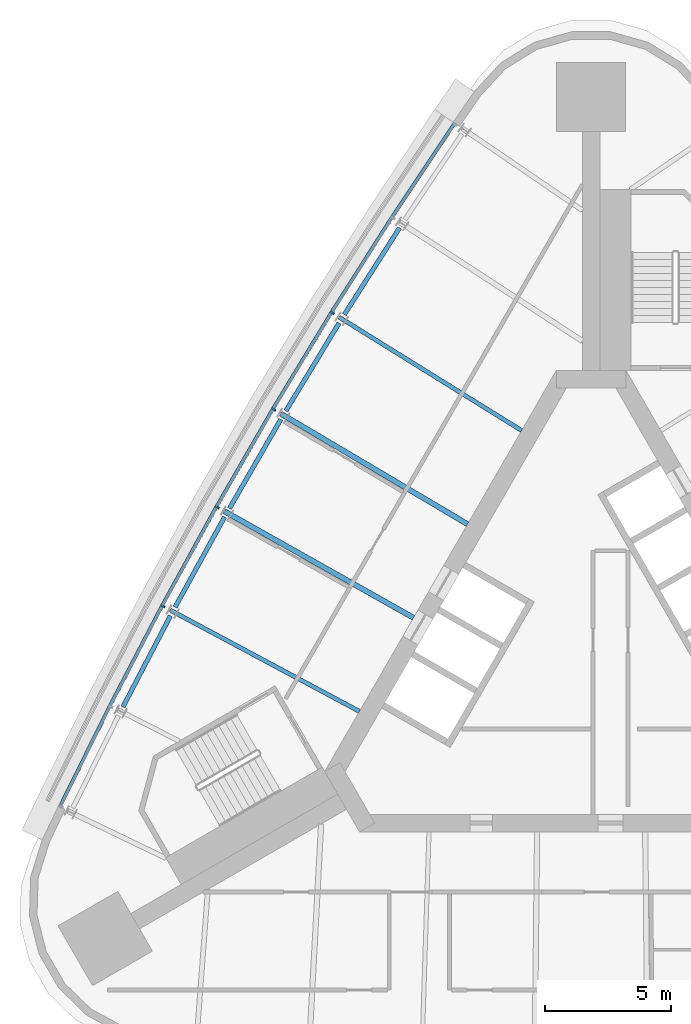
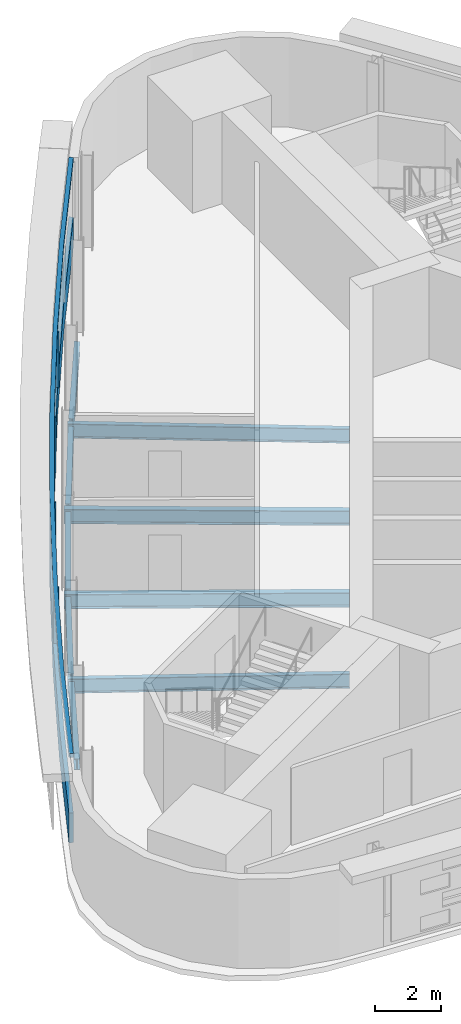
# One storey, part 3 of 12: 9 beams, 6 members, 1 element without a shape of its own.
"""IFC4 building model written with IfcOpenShell, lengths in metres."""

from ifc_helpers import new_model, si_unit, direction, frame, origin, origin_2d, place, context, subcontext, project, spatial, polyline, rectangle, i_section, outline, extrude, material, material_profile, profile_set, type_object, element, aggregate, save


model = new_model("IFC4")

# Units and contexts
model_context = context("Model", 3, precision=1e-05, world=origin(), true_north=direction((0.0, 1.0)))
body_context = subcontext(model_context, "Body", "Model", "MODEL_VIEW")
ifc_project = project(units=[si_unit("LENGTHUNIT", "METRE"), si_unit("AREAUNIT", "SQUARE_METRE"), si_unit("VOLUMEUNIT", "CUBIC_METRE"), si_unit("PLANEANGLEUNIT", "RADIAN"), si_unit("MASSUNIT", "GRAM", prefix="KILO")], contexts=[model_context])

# Site, building, storey
site_placement = place(None, origin())
site = spatial("IfcSite", under=ifc_project, at=site_placement, CompositionType="ELEMENT")
building_placement = place(site_placement, origin())
building = spatial("IfcBuilding", under=site, at=building_placement, Name="Noor Cloister Tower", CompositionType="ELEMENT")
storey_placement = place(building_placement, frame((0.0, 0.0, 185.10009765625)))
storey = spatial("IfcBuildingStorey", under=building, at=storey_placement, Name="L47", CompositionType="ELEMENT", Elevation=185.10009765625)

# Curtain wall, members
ifc_material_1 = material(Name="Aluminium 6063-T6 anodised", Category="aluminium")
curtain_wall_type = type_object("IfcCurtainWallType", Name="Ribbon curtain wall, upper tower CW5", PredefinedType="NOTDEFINED", material=ifc_material_1)
curtain_wall_placement = place(storey_placement, origin())
curtain_wall = element("IfcCurtainWall", 1, at=curtain_wall_placement, inside=storey, type_object=curtain_wall_type, Name="CW5 L47 NW run 1", PredefinedType="NOTDEFINED")
ifc_material_2 = material(Name="Aluminium 6063-T6 anodised", Category="aluminium")
member_type_1 = type_object("IfcMemberType", Name="Head transom CW5 150", PredefinedType="USERDEFINED", material=ifc_material_2)
member_1_placement = place(storey_placement, frame((0.0, 0.0, 3.14990234375)))
member_1 = element("IfcMember", 2, at=member_1_placement, type_object=member_type_1, Name="CW5 head transom", ObjectType="TRANSOM", PredefinedType="USERDEFINED", context=body_context, shape_type="SweptSolid", body=[
    extrude(outline(polyline([(-5.494384765625, 21.341552734375), (-7.98974609375, 17.59716796875), (-10.404541015625, 13.7998046875), (-12.7373046875, 9.951904296875), (-14.9873046875, 6.054931640625), (-17.1533203125, 2.110595703125), (-19.234375, -1.879150390625), (-21.2294921875, -5.91259765625), (-21.10400390625, -5.974609375), (-19.109619140625, -1.942626953125), (-17.02978515625, 2.04443359375), (-14.865234375, 5.986083984375), (-12.61669921875, 9.880615234375), (-10.285400390625, 13.72607421875), (-7.872314453125, 17.520751953125), (-5.3779296875, 21.263916015625), (-5.494384765625, 21.341552734375)])), origin(), (0.0, 0.0, 1.0), 0.14990234375),
])
ifc_material_3 = material(Name="Aluminium 6063-T6 anodised", Category="aluminium")
ifc_material_profile_1 = material_profile(ifc_material_3, rectangle(XDim=0.179931640625, YDim=0.070068359375, at=origin_2d()), Name="180 x 70 mullion")
ifc_profile_set_1 = profile_set([ifc_material_profile_1], Name="Aluminium 6063-T6 anodised")
member_type_2 = type_object("IfcMemberType", Name="Mullion CW5 70 x 180", PredefinedType="MULLION", material=ifc_profile_set_1)
member_2_placement = place(storey_placement, frame((-10.319580078125, 13.7470703125, 1.099853515625), z_axis=(0.0, 0.0, 1.0), x_axis=(0.849525641799, -0.527547328612, 0.0)))
member_2 = element("IfcMember", 3, at=member_2_placement, type_object=member_type_2, Name="CW5 mullion 3", PredefinedType="MULLION", context=body_context, shape_type="SweptSolid", body=[
    extrude(rectangle(XDim=0.179931640625, YDim=0.070068359375, at=origin_2d()), origin(), (0.0, 0.0, 1.0), 2.050048828125),
])
member_3_placement = place(storey_placement, frame((-12.651123046875, 9.90087890625, 1.099853515625), z_axis=(0.0, 0.0, 1.0), x_axis=(0.860623876199, -0.509241144957, 0.0)))
member_3 = element("IfcMember", 4, at=member_3_placement, type_object=member_type_2, Name="CW5 mullion 4", PredefinedType="MULLION", context=body_context, shape_type="SweptSolid", body=[
    extrude(rectangle(XDim=0.179931640625, YDim=0.070068359375, at=origin_2d()), origin(), (0.0, 0.0, 1.0), 2.050048828125),
])
member_4_placement = place(storey_placement, frame((-14.900146484375, 6.005859375, 1.099853515625), z_axis=(0.0, 0.0, 1.0), x_axis=(0.871327706284, -0.490701567413, 0.0)))
member_4 = element("IfcMember", 5, at=member_4_placement, type_object=member_type_2, Name="CW5 mullion 5", PredefinedType="MULLION", context=body_context, shape_type="SweptSolid", body=[
    extrude(rectangle(XDim=0.179931640625, YDim=0.070068359375, at=origin_2d()), origin(), (0.0, 0.0, 1.0), 2.050048828125),
])
member_5_placement = place(storey_placement, frame((-17.065185546875, 2.0634765625, 1.099853515625), z_axis=(0.0, 0.0, 1.0), x_axis=(0.881632209176, -0.471937122659, 0.0)))
member_5 = element("IfcMember", 6, at=member_5_placement, type_object=member_type_2, Name="CW5 mullion 6", PredefinedType="MULLION", context=body_context, shape_type="SweptSolid", body=[
    extrude(rectangle(XDim=0.179931640625, YDim=0.070068359375, at=origin_2d()), origin(), (0.0, 0.0, 1.0), 2.050048828125),
])

# Beams
ifc_material_4 = material(Name="Steel ASTM A992 Gr 50", Category="steel")
ifc_material_profile_2 = material_profile(ifc_material_4, i_section(OverallWidth=0.166015625, OverallDepth=0.528076171875, WebThickness=0.009765625, FlangeThickness=0.013671875, FilletRadius=0.0126953125, at=origin_2d()), Name="W530x74")
ifc_profile_set_2 = profile_set([ifc_material_profile_2], Name="Steel ASTM A992 Gr 50")
beam_type_1 = type_object("IfcBeamType", Name="Radial beam W530x74", PredefinedType="BEAM", material=ifc_profile_set_2)
beam_1_placement = place(storey_placement, frame((-10.032470703125, 13.56884765625, -0.464111328125), z_axis=(0.849528515527, -0.527542700932, 0.0), x_axis=(0.527542700932, 0.849528515527, 0.0)))
element("IfcBeam", 7, at=beam_1_placement, inside=storey, type_object=beam_type_1, Name="Radial beam NW 03 L47", PredefinedType="BEAM", context=body_context, shape_type="SweptSolid", body=[
    extrude(i_section(OverallWidth=0.166015625, OverallDepth=0.528076171875, WebThickness=0.009765625, FlangeThickness=0.013671875, FilletRadius=0.0126953125, at=origin_2d()), origin(), (0.0, 0.0, 1.0), 8.549072265625),
])
beam_2_placement = place(storey_placement, frame((-16.76708984375, 1.90380859375, -0.464111328125), z_axis=(0.88163488664, -0.471932120817, 0.0), x_axis=(0.471932120817, 0.88163488664, 0.0)))
element("IfcBeam", 8, at=beam_2_placement, inside=storey, type_object=beam_type_1, Name="Radial beam NW 06 L47", PredefinedType="BEAM", context=body_context, shape_type="SweptSolid", body=[
    extrude(i_section(OverallWidth=0.166015625, OverallDepth=0.528076171875, WebThickness=0.009765625, FlangeThickness=0.013671875, FilletRadius=0.0126953125, at=origin_2d()), origin(), (0.0, 0.0, 1.0), 8.548828125),
])
ifc_material_5 = material(Name="Steel ASTM A992 Gr 50", Category="steel")
ifc_material_profile_3 = material_profile(ifc_material_5, i_section(OverallWidth=0.208984375, OverallDepth=0.532958984375, WebThickness=0.01025390625, FlangeThickness=0.015625, FilletRadius=0.0126953125, at=origin_2d()), Name="W530x92")
ifc_profile_set_3 = profile_set([ifc_material_profile_3], Name="Steel ASTM A992 Gr 50")
beam_type_2 = type_object("IfcBeamType", Name="Radial beam W530x92", PredefinedType="BEAM", material=ifc_profile_set_3)
for number, where, z_axis, x_axis, name in (
    (9, (-12.3603515625, 9.728759765625, -0.466552734375), (0.860625455568, -0.509238475794, 0.0), (0.509238475794, 0.860625455568, 0.0), "Radial beam NW 04 L47"),
    (10, (-14.605712890625, 5.83984375, -0.466552734375), (0.871340018191, -0.490679704796, 0.0), (0.490679704796, 0.871340018191, 0.0), "Radial beam NW 05 L47"),
):
    element("IfcBeam", number, at=place(storey_placement, frame(where, z_axis=z_axis, x_axis=x_axis)), inside=storey, type_object=beam_type_2, Name=name, PredefinedType="BEAM", context=body_context, shape_type="SweptSolid", body=[
        extrude(i_section(OverallWidth=0.208984375, OverallDepth=0.532958984375, WebThickness=0.01025390625, FlangeThickness=0.015625, FilletRadius=0.0126953125, at=origin_2d()), origin(), (0.0, 0.0, 1.0), 8.64111328125),
    ])

# Member
ifc_material_6 = material(Name="Aluminium 6063-T6 anodised", Category="aluminium")
member_type_3 = type_object("IfcMemberType", Name="Sill transom CW5 1100", PredefinedType="USERDEFINED", material=ifc_material_6)
member_6_placement = place(storey_placement, origin())
member_6 = element("IfcMember", 11, at=member_6_placement, type_object=member_type_3, Name="CW5 sill transom", ObjectType="TRANSOM", PredefinedType="USERDEFINED", context=body_context, shape_type="SweptSolid", body=[
    extrude(outline(polyline([(-5.494384765625, 21.341552734375), (-7.98974609375, 17.59716796875), (-10.404541015625, 13.7998046875), (-12.7373046875, 9.951904296875), (-14.9873046875, 6.054931640625), (-17.1533203125, 2.110595703125), (-19.234375, -1.879150390625), (-21.2294921875, -5.91259765625), (-21.10400390625, -5.974609375), (-19.109619140625, -1.942626953125), (-17.02978515625, 2.04443359375), (-14.865234375, 5.986083984375), (-12.61669921875, 9.880615234375), (-10.285400390625, 13.72607421875), (-7.872314453125, 17.520751953125), (-5.3779296875, 21.263916015625), (-5.494384765625, 21.341552734375)])), origin(), (0.0, 0.0, 1.0), 1.099853515625),
])

aggregate(curtain_wall, [member_2, member_3, member_4, member_5, member_6, member_1])

# Beams
ifc_material_7 = material(Name="Steel ASTM A992 Gr 50", Category="steel")
ifc_material_profile_4 = material_profile(ifc_material_7, i_section(OverallWidth=0.177978515625, OverallDepth=0.406005859375, WebThickness=0.0078125, FlangeThickness=0.0126953125, FilletRadius=0.01025390625, at=origin_2d()), Name="W410x60")
ifc_profile_set_4 = profile_set([ifc_material_profile_4], Name="Steel ASTM A992 Gr 50")
beam_type_3 = type_object("IfcBeamType", Name="Spandrel beam W410x60", PredefinedType="SPANDREL", material=ifc_profile_set_4)
for number, where, z_axis, x_axis, name in (
    (12, (-7.634521484375, 17.130859375, -0.403076171875), (-0.536613092899, -0.843828411781, 0.0), (0.843828411781, -0.536613092899, 0.0), "Spandrel beam NW 02 L47"),
    (13, (-10.039306640625, 13.34130859375, -0.403076171875), (-0.518436511351, -0.855116122932, 0.0), (0.855116122932, -0.518436511351, 0.0), "Spandrel beam NW 03 L47"),
):
    element("IfcBeam", number, at=place(storey_placement, frame(where, z_axis=z_axis, x_axis=x_axis)), inside=storey, type_object=beam_type_3, Name=name, PredefinedType="SPANDREL", context=body_context, shape_type="SweptSolid", body=[
        extrude(i_section(OverallWidth=0.177978515625, OverallDepth=0.406005859375, WebThickness=0.0078125, FlangeThickness=0.0126953125, FilletRadius=0.01025390625, at=origin_2d()), origin(), (0.0, 0.0, 1.0), 4.09423828125),
    ])
beam_3_placement = place(storey_placement, frame((-12.362548828125, 9.501220703125, -0.403076171875), z_axis=(-0.499961627599, -0.866047556967, 0.0), x_axis=(0.866047556967, -0.499961627599, 0.0)))
element("IfcBeam", 14, at=beam_3_placement, inside=storey, type_object=beam_type_3, Name="Spandrel beam NW 04 L47", PredefinedType="SPANDREL", context=body_context, shape_type="SweptSolid", body=[
    extrude(i_section(OverallWidth=0.177978515625, OverallDepth=0.406005859375, WebThickness=0.0078125, FlangeThickness=0.0126953125, FilletRadius=0.01025390625, at=origin_2d()), origin(), (0.0, 0.0, 1.0), 4.093994140625),
])
beam_4_placement = place(storey_placement, frame((-14.602783203125, 5.6123046875, -0.403076171875), z_axis=(-0.481348653878, -0.87652921994, 0.0), x_axis=(0.87652921994, -0.481348653878, 0.0)))
element("IfcBeam", 15, at=beam_4_placement, inside=storey, type_object=beam_type_3, Name="Spandrel beam NW 05 L47", PredefinedType="SPANDREL", context=body_context, shape_type="SweptSolid", body=[
    extrude(i_section(OverallWidth=0.177978515625, OverallDepth=0.406005859375, WebThickness=0.0078125, FlangeThickness=0.0126953125, FilletRadius=0.01025390625, at=origin_2d()), origin(), (0.0, 0.0, 1.0), 4.09423828125),
])
beam_5_placement = place(storey_placement, frame((-16.759521484375, 1.67626953125, -0.403076171875), z_axis=(-0.462462064821, -0.886639068957, 0.0), x_axis=(0.886639068957, -0.462462064821, 0.0)))
element("IfcBeam", 16, at=beam_5_placement, inside=storey, type_object=beam_type_3, Name="Spandrel beam NW 06 L47", PredefinedType="SPANDREL", context=body_context, shape_type="SweptSolid", body=[
    extrude(i_section(OverallWidth=0.177978515625, OverallDepth=0.406005859375, WebThickness=0.0078125, FlangeThickness=0.0126953125, FilletRadius=0.01025390625, at=origin_2d()), origin(), (0.0, 0.0, 1.0), 4.093994140625),
])

save(model, "model.ifc")
